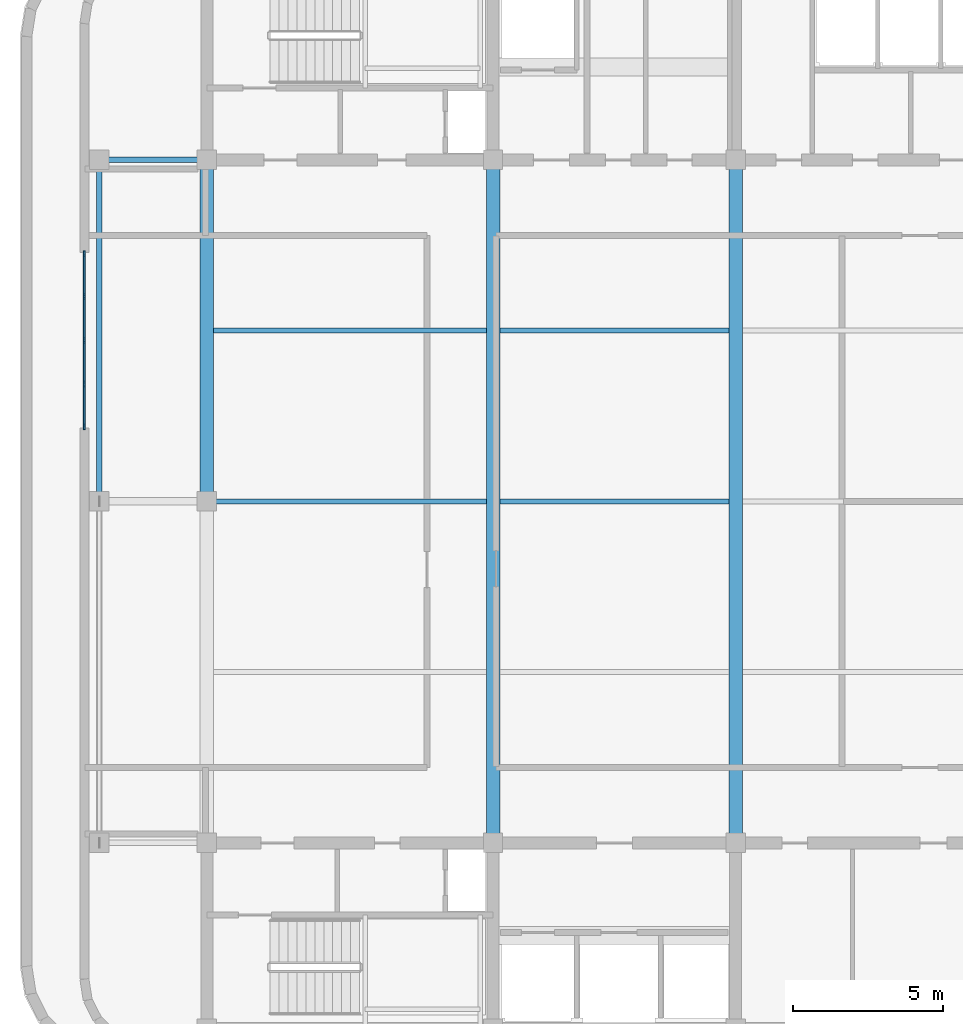
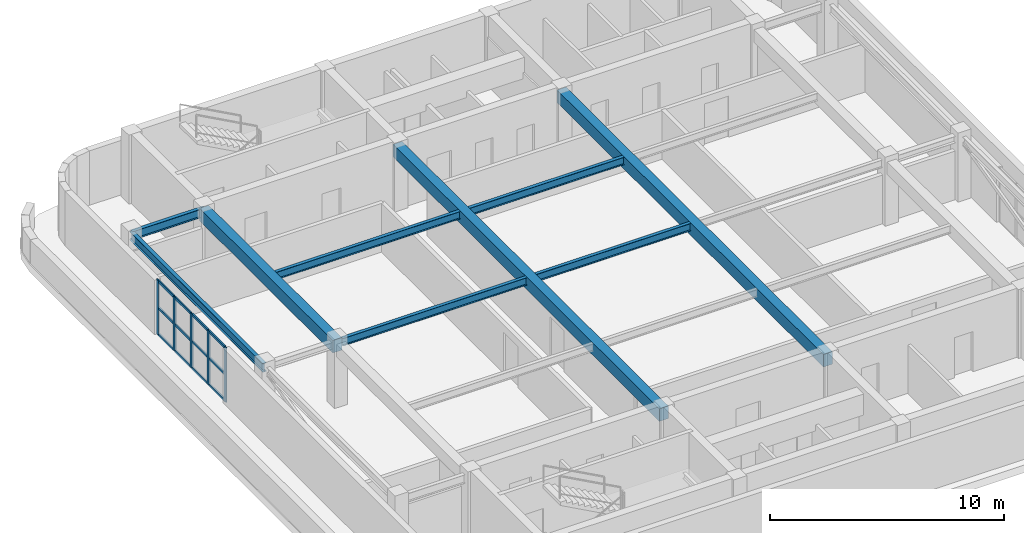
# One storey, part 2 of 9: 17 members, 9 beams, 1 element without a shape of its own.
"""IFC4 building model written with IfcOpenShell, lengths in metres."""

from ifc_helpers import new_model, si_unit, direction, frame, origin, origin_2d, place, context, subcontext, project, spatial, rectangle, i_section, extrude, material, material_profile, profile_set, type_object, element, aggregate, save


model = new_model("IFC4")

# Units and contexts
model_context = context("Model", 3, precision=1e-05, world=origin(), true_north=direction((0.0, 1.0)))
body_context = subcontext(model_context, "Body", "Model", "MODEL_VIEW")
ifc_project = project(units=[si_unit("LENGTHUNIT", "METRE"), si_unit("AREAUNIT", "SQUARE_METRE"), si_unit("VOLUMEUNIT", "CUBIC_METRE"), si_unit("PLANEANGLEUNIT", "RADIAN"), si_unit("MASSUNIT", "GRAM", prefix="KILO")], contexts=[model_context])

# Site, building, storey
site_placement = place(None, origin())
site = spatial("IfcSite", under=ifc_project, at=site_placement, CompositionType="ELEMENT")
building_placement = place(site_placement, origin())
building = spatial("IfcBuilding", under=site, at=building_placement, Name="Svetorya Sky Lyceum", CompositionType="ELEMENT")
storey_placement = place(building_placement, frame((0.0, 0.0, 302.0)))
storey = spatial("IfcBuildingStorey", under=building, at=storey_placement, Name="C01", CompositionType="ELEMENT", Elevation=302.0)

# Beams
ifc_material_1 = material(Name="Concrete C40/50", Category="concrete")
ifc_material_profile_1 = material_profile(ifc_material_1, rectangle(XDim=0.449951171875, YDim=0.64990234375, at=origin_2d()), Name="RC BEAM 450x650")
ifc_profile_set_1 = profile_set([ifc_material_profile_1], Name="Concrete C40/50")
beam_type_1 = type_object("IfcBeamType", Name="BM-RC-650", PredefinedType="BEAM", material=ifc_profile_set_1)
beam_1_placement = place(storey_placement, frame((25.60009765625, 28.199951171875, 2.9951171875), z_axis=(0.0, 1.0, 0.0), x_axis=(-1.0, 0.0, 0.0)))
element("IfcBeam", 1, at=beam_1_placement, inside=storey, type_object=beam_type_1, Name="C01 Central Bay Primary Girder CG-1B", PredefinedType="BEAM", context=body_context, shape_type="SweptSolid", body=[
    extrude(rectangle(XDim=0.449951171875, YDim=0.64990234375, at=origin_2d()), origin(), (0.0, 0.0, 1.0), 11.400146484375),
])
for number, where, z_axis, x_axis, name in (
    (2, (35.14990234375, 16.800048828125, 2.9951171875), (0.0, 1.0, 0.0), (-1.0, 0.0, 0.0), "C01 Central Bay Primary Girder CG-2"),
    (3, (43.25, 16.800048828125, 2.9951171875), (0.0, 1.0, 0.0), (-1.0, 0.0, 0.0), "C01 Central Bay Primary Girder CG-3"),
):
    element("IfcBeam", number, at=place(storey_placement, frame(where, z_axis=z_axis, x_axis=x_axis)), inside=storey, type_object=beam_type_1, Name=name, PredefinedType="BEAM", context=body_context, shape_type="SweptSolid", body=[
        extrude(rectangle(XDim=0.449951171875, YDim=0.64990234375, at=origin_2d()), origin(), (0.0, 0.0, 1.0), 22.800048828125),
    ])
ifc_material_2 = material(Name="Steel S355", Category="steel")
ifc_material_profile_2 = material_profile(ifc_material_2, i_section(OverallWidth=0.1650390625, OverallDepth=0.39990234375, WebThickness=0.008056640625, FlangeThickness=0.012939453125, at=origin_2d()), Name="GOST 40B2")
ifc_profile_set_2 = profile_set([ifc_material_profile_2], Name="Steel S355")
beam_type_2 = type_object("IfcBeamType", Name="BM-STL-40B2", PredefinedType="JOIST", material=ifc_profile_set_2)
beam_2_placement = place(storey_placement, frame((25.824951171875, 28.199951171875, 3.1201171875), z_axis=(1.0, 0.0, 0.0), x_axis=(0.0, 1.0, 0.0)))
element("IfcBeam", 4, at=beam_2_placement, inside=storey, type_object=beam_type_2, Name="C01 Central Floor Joist CJ-2.1", PredefinedType="JOIST", context=body_context, shape_type="SweptSolid", body=[
    extrude(i_section(OverallWidth=0.1650390625, OverallDepth=0.39990234375, WebThickness=0.008056640625, FlangeThickness=0.012939453125, at=origin_2d()), origin(), (0.0, 0.0, 1.0), 9.10009765625),
])
beam_3_placement = place(storey_placement, frame((35.375, 28.199951171875, 3.1201171875), z_axis=(1.0, 0.0, 0.0), x_axis=(0.0, 1.0, 0.0)))
element("IfcBeam", 5, at=beam_3_placement, inside=storey, type_object=beam_type_2, Name="C01 Central Floor Joist CJ-2.2", PredefinedType="JOIST", context=body_context, shape_type="SweptSolid", body=[
    extrude(i_section(OverallWidth=0.1650390625, OverallDepth=0.39990234375, WebThickness=0.008056640625, FlangeThickness=0.012939453125, at=origin_2d()), origin(), (0.0, 0.0, 1.0), 7.64990234375),
])
beam_4_placement = place(storey_placement, frame((25.824951171875, 33.89990234375, 3.1201171875), z_axis=(1.0, 0.0, 0.0), x_axis=(0.0, 1.0, 0.0)))
element("IfcBeam", 6, at=beam_4_placement, inside=storey, type_object=beam_type_2, Name="C01 Central Floor Joist CJ-3.1", PredefinedType="JOIST", context=body_context, shape_type="SweptSolid", body=[
    extrude(i_section(OverallWidth=0.1650390625, OverallDepth=0.39990234375, WebThickness=0.008056640625, FlangeThickness=0.012939453125, at=origin_2d()), origin(), (0.0, 0.0, 1.0), 9.10009765625),
])
beam_5_placement = place(storey_placement, frame((35.375, 33.89990234375, 3.1201171875), z_axis=(1.0, 0.0, 0.0), x_axis=(0.0, 1.0, 0.0)))
element("IfcBeam", 7, at=beam_5_placement, inside=storey, type_object=beam_type_2, Name="C01 Central Floor Joist CJ-3.2", PredefinedType="JOIST", context=body_context, shape_type="SweptSolid", body=[
    extrude(i_section(OverallWidth=0.1650390625, OverallDepth=0.39990234375, WebThickness=0.008056640625, FlangeThickness=0.012939453125, at=origin_2d()), origin(), (0.0, 0.0, 1.0), 7.64990234375),
])
ifc_material_profile_3 = material_profile(ifc_material_2, i_section(OverallWidth=0.179931640625, OverallDepth=0.449951171875, WebThickness=0.009033203125, FlangeThickness=0.014404296875, at=origin_2d()), Name="GOST 45B2")
ifc_profile_set_3 = profile_set([ifc_material_profile_3], Name="Steel S355")
beam_type_3 = type_object("IfcBeamType", Name="BM-STL-45B2", PredefinedType="SPANDREL", material=ifc_profile_set_3)
beam_6_placement = place(storey_placement, frame((22.010009765625, 39.60009765625, 3.094970703125), z_axis=(1.0, 0.0, 0.0), x_axis=(0.0, 1.0, 0.0)))
element("IfcBeam", 8, at=beam_6_placement, inside=storey, type_object=beam_type_3, Name="C01 Tie Spandrel NW", PredefinedType="SPANDREL", context=body_context, shape_type="SweptSolid", body=[
    extrude(i_section(OverallWidth=0.179931640625, OverallDepth=0.449951171875, WebThickness=0.009033203125, FlangeThickness=0.014404296875, at=origin_2d()), origin(), (0.0, 0.0, 1.0), 3.590087890625),
])
beam_7_placement = place(storey_placement, frame((22.010009765625, 28.199951171875, 3.094970703125), z_axis=(0.0, 1.0, 0.0), x_axis=(-1.0, 0.0, 0.0)))
element("IfcBeam", 9, at=beam_7_placement, inside=storey, type_object=beam_type_3, Name="C01 West Spandrel 2", PredefinedType="SPANDREL", context=body_context, shape_type="SweptSolid", body=[
    extrude(i_section(OverallWidth=0.179931640625, OverallDepth=0.449951171875, WebThickness=0.009033203125, FlangeThickness=0.014404296875, at=origin_2d()), origin(), (0.0, 0.0, 1.0), 11.400146484375),
])

# Curtain wall, members
ifc_material_3 = material(Name="Thermally broken anodized aluminium and triple low-E glass", Category="aluminium")
curtain_wall_type = type_object("IfcCurtainWallType", Name="CW5-LVR-PLT", PredefinedType="NOTDEFINED", material=ifc_material_3)
curtain_wall_placement = place(storey_placement, origin())
curtain_wall = element("IfcCurtainWall", 10, at=curtain_wall_placement, inside=storey, type_object=curtain_wall_type, Name="C01 Acoustic Plant Louvre Curtain Wall 24", PredefinedType="NOTDEFINED")
ifc_material_4 = material(Name="Thermally broken anodized aluminium EN AW-6060", Category="aluminium")
ifc_material_profile_4 = material_profile(ifc_material_4, rectangle(XDim=0.06494140625, YDim=0.179931640625, at=origin_2d()), Name="ALU MULLION 65x180")
ifc_profile_set_4 = profile_set([ifc_material_profile_4], Name="Thermally broken anodized aluminium EN AW-6060")
member_type_1 = type_object("IfcMemberType", Name="CWM-MUL-180", PredefinedType="MULLION", material=ifc_profile_set_4)
member_1_placement = place(storey_placement, frame((21.510009765625, 36.467529296875, 0.0), z_axis=(0.0, 0.0, 1.0), x_axis=(1.0, 0.0, 0.0)))
member_1 = element("IfcMember", 11, at=member_1_placement, type_object=member_type_1, Name="CW-5 mullion 1", PredefinedType="MULLION", context=body_context, shape_type="SweptSolid", body=[
    extrude(rectangle(XDim=0.06494140625, YDim=0.179931640625, at=origin_2d()), origin(), (0.0, 0.0, 1.0), 2.840087890625),
])
member_2_placement = place(storey_placement, frame((21.510009765625, 35.03759765625, 0.0), z_axis=(0.0, 0.0, 1.0), x_axis=(1.0, 0.0, 0.0)))
member_2 = element("IfcMember", 12, at=member_2_placement, type_object=member_type_1, Name="CW-5 mullion 2", PredefinedType="MULLION", context=body_context, shape_type="SweptSolid", body=[
    extrude(rectangle(XDim=0.06494140625, YDim=0.179931640625, at=origin_2d()), origin(), (0.0, 0.0, 1.0), 2.840087890625),
])
member_3_placement = place(storey_placement, frame((21.510009765625, 33.574951171875, 0.0), z_axis=(0.0, 0.0, 1.0), x_axis=(1.0, 0.0, 0.0)))
member_3 = element("IfcMember", 13, at=member_3_placement, type_object=member_type_1, Name="CW-5 mullion 3", PredefinedType="MULLION", context=body_context, shape_type="SweptSolid", body=[
    extrude(rectangle(XDim=0.06494140625, YDim=0.179931640625, at=origin_2d()), origin(), (0.0, 0.0, 1.0), 2.840087890625),
])
member_4_placement = place(storey_placement, frame((21.510009765625, 32.112548828125, 0.0), z_axis=(0.0, 0.0, 1.0), x_axis=(1.0, 0.0, 0.0)))
member_4 = element("IfcMember", 14, at=member_4_placement, type_object=member_type_1, Name="CW-5 mullion 4", PredefinedType="MULLION", context=body_context, shape_type="SweptSolid", body=[
    extrude(rectangle(XDim=0.06494140625, YDim=0.179931640625, at=origin_2d()), origin(), (0.0, 0.0, 1.0), 2.840087890625),
])
member_5_placement = place(storey_placement, frame((21.510009765625, 30.6826171875, 0.0), z_axis=(0.0, 0.0, 1.0), x_axis=(1.0, 0.0, 0.0)))
member_5 = element("IfcMember", 15, at=member_5_placement, type_object=member_type_1, Name="CW-5 mullion 5", PredefinedType="MULLION", context=body_context, shape_type="SweptSolid", body=[
    extrude(rectangle(XDim=0.06494140625, YDim=0.179931640625, at=origin_2d()), origin(), (0.0, 0.0, 1.0), 2.840087890625),
])
ifc_material_profile_5 = material_profile(ifc_material_4, rectangle(XDim=0.06494140625, YDim=0.139892578125, at=origin_2d()), Name="ALU TRANSOM 65x140")
ifc_profile_set_5 = profile_set([ifc_material_profile_5], Name="Thermally broken anodized aluminium EN AW-6060")
member_type_2 = type_object("IfcMemberType", Name="CWM-TRN-140", PredefinedType="USERDEFINED", material=ifc_profile_set_5)
member_6_placement = place(storey_placement, frame((21.510009765625, 36.4365234375, 0.032470703125), z_axis=(0.0, -1.0, 0.0), x_axis=(1.0, 0.0, 0.0)))
member_6 = element("IfcMember", 16, at=member_6_placement, type_object=member_type_2, Name="CW-5 transom 1.1", ObjectType="TRANSOM", PredefinedType="USERDEFINED", context=body_context, shape_type="SweptSolid", body=[
    extrude(rectangle(XDim=0.06494140625, YDim=0.139892578125, at=origin_2d()), origin(), (0.0, 0.0, 1.0), 1.367919921875),
])
member_7_placement = place(storey_placement, frame((21.510009765625, 36.4365234375, 1.419921875), z_axis=(0.0, -1.0, 0.0), x_axis=(1.0, 0.0, 0.0)))
member_7 = element("IfcMember", 17, at=member_7_placement, type_object=member_type_2, Name="CW-5 transom 1.2", ObjectType="TRANSOM", PredefinedType="USERDEFINED", context=body_context, shape_type="SweptSolid", body=[
    extrude(rectangle(XDim=0.06494140625, YDim=0.139892578125, at=origin_2d()), origin(), (0.0, 0.0, 1.0), 1.367919921875),
])
member_8_placement = place(storey_placement, frame((21.510009765625, 36.4365234375, 2.8076171875), z_axis=(0.0, -1.0, 0.0), x_axis=(1.0, 0.0, 0.0)))
member_8 = element("IfcMember", 18, at=member_8_placement, type_object=member_type_2, Name="CW-5 transom 1.3", ObjectType="TRANSOM", PredefinedType="USERDEFINED", context=body_context, shape_type="SweptSolid", body=[
    extrude(rectangle(XDim=0.06494140625, YDim=0.139892578125, at=origin_2d()), origin(), (0.0, 0.0, 1.0), 1.367919921875),
])
member_9_placement = place(storey_placement, frame((21.510009765625, 35.006591796875, 0.032470703125), z_axis=(0.0, -1.0, 0.0), x_axis=(1.0, 0.0, 0.0)))
member_9 = element("IfcMember", 19, at=member_9_placement, type_object=member_type_2, Name="CW-5 transom 2.1", ObjectType="TRANSOM", PredefinedType="USERDEFINED", context=body_context, shape_type="SweptSolid", body=[
    extrude(rectangle(XDim=0.06494140625, YDim=0.139892578125, at=origin_2d()), origin(), (0.0, 0.0, 1.0), 1.400634765625),
])
member_10_placement = place(storey_placement, frame((21.510009765625, 35.006591796875, 1.419921875), z_axis=(0.0, -1.0, 0.0), x_axis=(1.0, 0.0, 0.0)))
member_10 = element("IfcMember", 20, at=member_10_placement, type_object=member_type_2, Name="CW-5 transom 2.2", ObjectType="TRANSOM", PredefinedType="USERDEFINED", context=body_context, shape_type="SweptSolid", body=[
    extrude(rectangle(XDim=0.06494140625, YDim=0.139892578125, at=origin_2d()), origin(), (0.0, 0.0, 1.0), 1.400634765625),
])
member_11_placement = place(storey_placement, frame((21.510009765625, 35.006591796875, 2.8076171875), z_axis=(0.0, -1.0, 0.0), x_axis=(1.0, 0.0, 0.0)))
member_11 = element("IfcMember", 21, at=member_11_placement, type_object=member_type_2, Name="CW-5 transom 2.3", ObjectType="TRANSOM", PredefinedType="USERDEFINED", context=body_context, shape_type="SweptSolid", body=[
    extrude(rectangle(XDim=0.06494140625, YDim=0.139892578125, at=origin_2d()), origin(), (0.0, 0.0, 1.0), 1.400634765625),
])
member_12_placement = place(storey_placement, frame((21.510009765625, 33.5439453125, 0.032470703125), z_axis=(0.0, -1.0, 0.0), x_axis=(1.0, 0.0, 0.0)))
member_12 = element("IfcMember", 22, at=member_12_placement, type_object=member_type_2, Name="CW-5 transom 3.1", ObjectType="TRANSOM", PredefinedType="USERDEFINED", context=body_context, shape_type="SweptSolid", body=[
    extrude(rectangle(XDim=0.06494140625, YDim=0.139892578125, at=origin_2d()), origin(), (0.0, 0.0, 1.0), 1.400390625),
])
member_13_placement = place(storey_placement, frame((21.510009765625, 33.5439453125, 1.419921875), z_axis=(0.0, -1.0, 0.0), x_axis=(1.0, 0.0, 0.0)))
member_13 = element("IfcMember", 23, at=member_13_placement, type_object=member_type_2, Name="CW-5 transom 3.2", ObjectType="TRANSOM", PredefinedType="USERDEFINED", context=body_context, shape_type="SweptSolid", body=[
    extrude(rectangle(XDim=0.06494140625, YDim=0.139892578125, at=origin_2d()), origin(), (0.0, 0.0, 1.0), 1.400390625),
])
member_14_placement = place(storey_placement, frame((21.510009765625, 33.5439453125, 2.8076171875), z_axis=(0.0, -1.0, 0.0), x_axis=(1.0, 0.0, 0.0)))
member_14 = element("IfcMember", 24, at=member_14_placement, type_object=member_type_2, Name="CW-5 transom 3.3", ObjectType="TRANSOM", PredefinedType="USERDEFINED", context=body_context, shape_type="SweptSolid", body=[
    extrude(rectangle(XDim=0.06494140625, YDim=0.139892578125, at=origin_2d()), origin(), (0.0, 0.0, 1.0), 1.400390625),
])
member_15_placement = place(storey_placement, frame((21.510009765625, 32.08154296875, 0.032470703125), z_axis=(0.0, -1.0, 0.0), x_axis=(1.0, 0.0, 0.0)))
member_15 = element("IfcMember", 25, at=member_15_placement, type_object=member_type_2, Name="CW-5 transom 4.1", ObjectType="TRANSOM", PredefinedType="USERDEFINED", context=body_context, shape_type="SweptSolid", body=[
    extrude(rectangle(XDim=0.06494140625, YDim=0.139892578125, at=origin_2d()), origin(), (0.0, 0.0, 1.0), 1.3681640625),
])
member_16_placement = place(storey_placement, frame((21.510009765625, 32.08154296875, 1.419921875), z_axis=(0.0, -1.0, 0.0), x_axis=(1.0, 0.0, 0.0)))
member_16 = element("IfcMember", 26, at=member_16_placement, type_object=member_type_2, Name="CW-5 transom 4.2", ObjectType="TRANSOM", PredefinedType="USERDEFINED", context=body_context, shape_type="SweptSolid", body=[
    extrude(rectangle(XDim=0.06494140625, YDim=0.139892578125, at=origin_2d()), origin(), (0.0, 0.0, 1.0), 1.3681640625),
])
member_17_placement = place(storey_placement, frame((21.510009765625, 32.08154296875, 2.8076171875), z_axis=(0.0, -1.0, 0.0), x_axis=(1.0, 0.0, 0.0)))
member_17 = element("IfcMember", 27, at=member_17_placement, type_object=member_type_2, Name="CW-5 transom 4.3", ObjectType="TRANSOM", PredefinedType="USERDEFINED", context=body_context, shape_type="SweptSolid", body=[
    extrude(rectangle(XDim=0.06494140625, YDim=0.139892578125, at=origin_2d()), origin(), (0.0, 0.0, 1.0), 1.3681640625),
])
aggregate(curtain_wall, [member_1, member_2, member_3, member_4, member_5, member_6, member_7, member_8, member_9, member_10, member_11, member_12, member_13, member_14, member_15, member_16, member_17])

save(model, "model.ifc")
